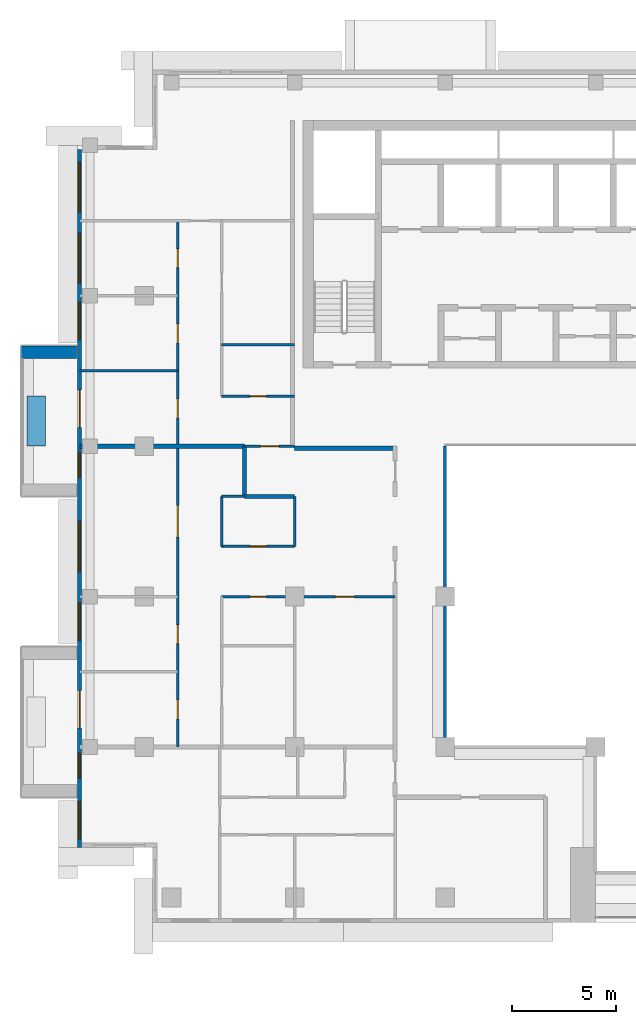
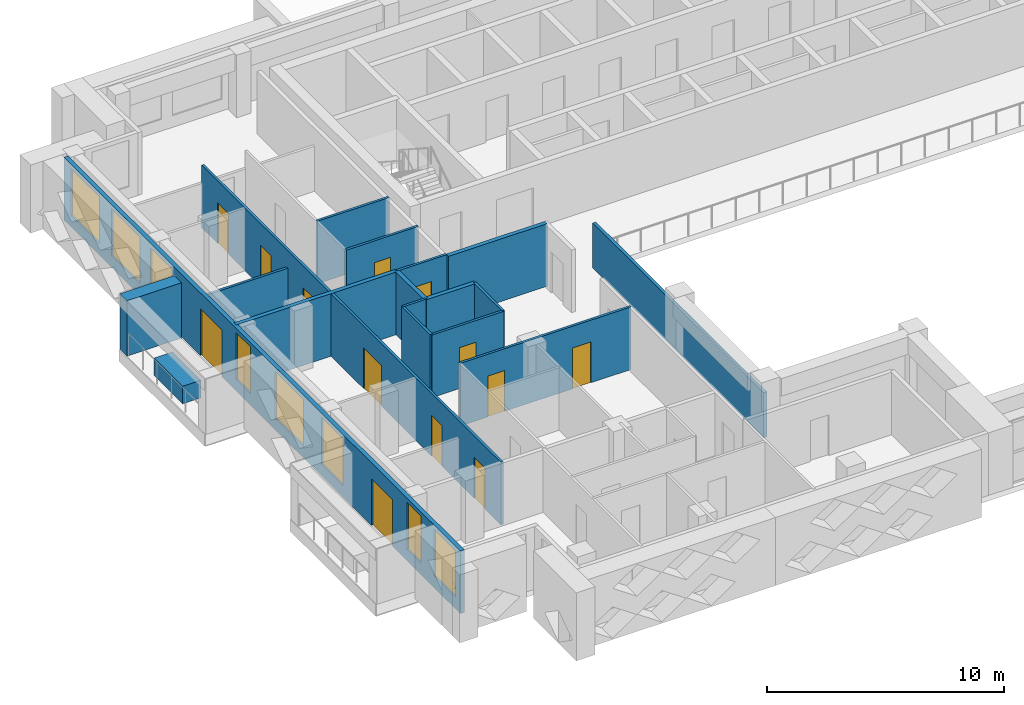
# One storey, part 7 of 19: 18 walls, 13 doors, 8 windows, 21 openings.
"""IFC4 building model written with IfcOpenShell, lengths in metres."""

import ifcopenshell
import ifcopenshell.guid

model = None  # the IFC model being written
_history = None  # IfcOwnerHistory: only IFC2X3 demands one
_inside = {}  # id of a spatial element -> (the spatial element, [elements in it])
_under = {}  # id of a project, library or spatial element -> (it, [spatial elements below it])
_declared = {}  # id of a project -> (the project, [libraries it declares])
_typed = {}  # id of a type object -> (the type object, [elements of that type])
_made_of = {}  # id of a material, layer set ... -> (it, [elements and type objects made of it])


def new_model(schema):
    """Start an empty IFC model of exactly this schema.

    Asked for "IFC4X3", IfcOpenShell would pick the latest addendum, in which some entities
    have other attributes; the version numbers below select the first issue.
    IFC2X3 requires an IfcOwnerHistory on every rooted entity: one is made here for all.
    """
    global model, _history
    if schema == "IFC4X3":
        model = ifcopenshell.file(schema_version=(4, 3, 0, 0))
    else:
        model = ifcopenshell.file(schema=schema)
    _inside.clear()
    _under.clear()
    _declared.clear()
    _typed.clear()
    _made_of.clear()
    _history = None
    if model.schema == "IFC2X3":
        org = make("IfcOrganization", Name="unknown")
        user = make(
            "IfcPersonAndOrganization",
            ThePerson=make("IfcPerson", FamilyName="unknown"),
            TheOrganization=org,
        )
        app = make(
            "IfcApplication",
            ApplicationDeveloper=org,
            Version="unknown",
            ApplicationFullName="unknown",
            ApplicationIdentifier="unknown",
        )
        _history = make(
            "IfcOwnerHistory",
            OwningUser=user,
            OwningApplication=app,
            ChangeAction="ADDED",
            CreationDate=0,
        )
    return model


def make(cls, **values):
    """One entity of the class cls with the attributes given. An attribute that is None is left unset."""
    return model.create_entity(
        cls, **{name: value for name, value in values.items() if value is not None}
    )


def rooted(cls, **values):
    """An entity with a GlobalId (a new one), such as an element, a storey or a relation."""
    return make(cls, GlobalId=ifcopenshell.guid.new(), OwnerHistory=_history, **values)


def si_unit(unit_type, name, prefix=None):
    """IfcSIUnit, for example si_unit("LENGTHUNIT", "METRE", prefix="MILLI")."""
    return make("IfcSIUnit", UnitType=unit_type, Prefix=prefix, Name=name)


def assignment(units):
    """IfcUnitAssignment: the units of a project."""
    return None if units is None else make("IfcUnitAssignment", Units=units)


def point(xyz):
    """IfcCartesianPoint."""
    return None if xyz is None else make("IfcCartesianPoint", Coordinates=xyz)


def direction(xyz):
    """IfcDirection."""
    return None if xyz is None else make("IfcDirection", DirectionRatios=xyz)


def frame(location, z_axis=None, x_axis=None):
    """IfcAxis2Placement3D, a coordinate frame: its origin and axes. An axis left out is left unset."""
    return make(
        "IfcAxis2Placement3D",
        Location=point(location),
        Axis=direction(z_axis),
        RefDirection=direction(x_axis),
    )


def frame_2d(location, x_axis=None):
    """IfcAxis2Placement2D, a coordinate frame in the plane: its origin and x axis."""
    return make(
        "IfcAxis2Placement2D", Location=point(location), RefDirection=direction(x_axis)
    )


def origin():
    """The frame at (0, 0, 0) with its axes left unset."""
    return frame((0.0, 0.0, 0.0))


def place(relative_to, where):
    """IfcLocalPlacement: puts the frame where relative to a parent placement (None: the world)."""
    return make(
        "IfcLocalPlacement", PlacementRelTo=relative_to, RelativePlacement=where
    )


def context(
    kind, dimensions, precision=None, world=None, true_north=None, identifier=None
):
    """IfcGeometricRepresentationContext, for example the 3D "Model" context."""
    return make(
        "IfcGeometricRepresentationContext",
        ContextIdentifier=identifier,
        ContextType=kind,
        CoordinateSpaceDimension=dimensions,
        Precision=precision,
        WorldCoordinateSystem=world,
        TrueNorth=true_north,
    )


def subcontext(parent, identifier, kind, view, scale=None):
    """IfcGeometricRepresentationSubContext, for example "Body" below "Model"."""
    return make(
        "IfcGeometricRepresentationSubContext",
        ContextIdentifier=identifier,
        ContextType=kind,
        ParentContext=parent,
        TargetScale=scale,
        TargetView=view,
    )


def project(units=None, contexts=None):
    """IfcProject with its units and contexts."""
    return rooted(
        "IfcProject",
        Name="project",
        RepresentationContexts=contexts,
        UnitsInContext=assignment(units),
    )


def spatial(cls, under=None, at=None, **own):
    """A site, building, storey or space (cls), placed at a placement, below another one or the project."""
    s = rooted(cls, ObjectPlacement=at, **own)
    if under is not None:
        _under.setdefault(under.id(), (under, []))[1].append(s)
    return s


def profile(cls, at=None, kind="AREA", **sizes):
    """A parametric profile (cls). Its sizes go by their IFC names, for example OverallWidth=200.0."""
    return make(cls, ProfileType=kind, Position=at, **sizes)


def rectangle(**sizes):
    """IfcRectangleProfileDef."""
    return profile("IfcRectangleProfileDef", **sizes)


def extrude(swept, where, along, depth):
    """IfcExtrudedAreaSolid: the profile swept, set in the frame where, extruded along a direction by depth."""
    return make(
        "IfcExtrudedAreaSolid",
        SweptArea=swept,
        Position=where,
        ExtrudedDirection=direction(along),
        Depth=depth,
    )


def shape(context_of_items, identifier, shape_type, items):
    """IfcShapeRepresentation: the items that make up one representation, for example the "Body"."""
    return make(
        "IfcShapeRepresentation",
        ContextOfItems=context_of_items,
        RepresentationIdentifier=identifier,
        RepresentationType=shape_type,
        Items=items,
    )


def material(Name=None, Category=None):
    """IfcMaterial."""
    return make("IfcMaterial", Name=Name, Category=Category)


def layer(
    of_material, thickness, ventilated=None, Name=None, Category=None, Priority=None
):
    """IfcMaterialLayer: one layer of a wall or slab, of a material (None: an air gap)."""
    return make(
        "IfcMaterialLayer",
        Material=of_material,
        LayerThickness=thickness,
        IsVentilated=ventilated,
        Name=Name,
        Category=Category,
        Priority=Priority,
    )


def layer_set(layers, Name=None):
    """IfcMaterialLayerSet."""
    return make("IfcMaterialLayerSet", MaterialLayers=layers, LayerSetName=Name)


def made_of(thing, what):
    """Note that an element or type object is made of a material, layer set ...; save() writes the relation."""
    if what is not None:
        _made_of.setdefault(what.id(), (what, []))[1].append(thing)
    return thing


def type_object(cls, material=None, **own):
    """A type object (cls), such as IfcWallType, which elements share."""
    return made_of(rooted(cls, **own), material)


def element(
    cls,
    number,
    at=None,
    inside=None,
    cuts=None,
    type_object=None,
    material=None,
    context=None,
    identifier="Body",
    shape_type=None,
    held_by="IfcProductDefinitionShape",
    body=None,
    shapes=None,
    **own,
):
    """One element of the class cls, such as IfcWall. Its Tag is "e" and its number.

    at: its placement. inside: the storey or other place that contains it. cuts: it is an
    opening in that element (IfcRelVoidsElement). A single representation is given by context,
    identifier, shape_type and body (its items); several are given by shapes. held_by: the class
    of the entity that holds the representations. save() writes the other relations.
    """
    e = rooted(cls, Tag="e%d" % number, ObjectPlacement=at, **own)
    if body is not None:
        shapes = [shape(context, identifier, shape_type, body)]
    if shapes is not None:
        e.Representation = make(held_by, Representations=shapes)
    if inside is not None:
        _inside.setdefault(inside.id(), (inside, []))[1].append(e)
    if cuts is not None:
        rooted(
            "IfcRelVoidsElement", RelatingBuildingElement=cuts, RelatedOpeningElement=e
        )
    if type_object is not None:
        _typed.setdefault(type_object.id(), (type_object, []))[1].append(e)
    return made_of(e, material)


def fill(opening, filler):
    """IfcRelFillsElement: the door or window that sits in an opening."""
    return rooted(
        "IfcRelFillsElement",
        RelatingOpeningElement=opening,
        RelatedBuildingElement=filler,
    )


def aggregate(whole, parts):
    """IfcRelAggregates: a whole, such as a stair, and the parts it consists of."""
    return rooted("IfcRelAggregates", RelatingObject=whole, RelatedObjects=parts)


def save(model, path):
    """Write the relations noted so far, then the file.

    IfcRelAggregates (storeys below a building ...), IfcRelContainedInSpatialStructure (elements
    in a storey), IfcRelDefinesByType, IfcRelAssociatesMaterial and IfcRelDeclares: one each for
    every whole, place, type object, material and project.
    """
    for whole, parts in _under.values():
        aggregate(whole, parts)
    for where, things in _inside.values():
        rooted(
            "IfcRelContainedInSpatialStructure",
            RelatedElements=things,
            RelatingStructure=where,
        )
    for kind, things in _typed.values():
        rooted("IfcRelDefinesByType", RelatedObjects=things, RelatingType=kind)
    for what, things in _made_of.values():
        rooted("IfcRelAssociatesMaterial", RelatedObjects=things, RelatingMaterial=what)
    for by, libraries in _declared.values():
        rooted("IfcRelDeclares", RelatingContext=by, RelatedDefinitions=libraries)
    model.write(path)


model = new_model("IFC4")

# Units and contexts
model_context = context("Model", 3, precision=1e-05, world=origin(), true_north=direction((0.0, 1.0)))
body_context = subcontext(model_context, "Body", "Model", "MODEL_VIEW")
ifc_project = project(units=[si_unit("LENGTHUNIT", "METRE"), si_unit("AREAUNIT", "SQUARE_METRE"), si_unit("VOLUMEUNIT", "CUBIC_METRE"), si_unit("PLANEANGLEUNIT", "RADIAN"), si_unit("MASSUNIT", "GRAM", prefix="KILO")], contexts=[model_context])

# Site, building, storey
site_placement = place(None, origin())
site = spatial("IfcSite", under=ifc_project, at=site_placement, CompositionType="ELEMENT")
building_placement = place(site_placement, origin())
building = spatial("IfcBuilding", under=site, at=building_placement, Name="Saffron Iwan Residences", CompositionType="ELEMENT")
storey_placement = place(building_placement, frame((0.0, 0.0, 229.0)))
storey = spatial("IfcBuildingStorey", under=building, at=storey_placement, Name="L61", CompositionType="ELEMENT", Elevation=229.0)

# Walls
ifc_material_1 = material(Name="Fire-rated glazing", Category="glass")
ifc_layer_1 = layer(ifc_material_1, 0.14990234375)
ifc_layer_set_1 = layer_set([ifc_layer_1], Name="Fire-rated glazing")
wall_type_1 = type_object("IfcWallType", Name="Atrium glazed screen 150", PredefinedType="SOLIDWALL", material=ifc_layer_set_1)
wall_1_placement = place(storey_placement, frame((36.0, 48.0, 0.0), z_axis=(0.0, 0.0, 1.0), x_axis=(0.0, 1.0, 0.0)))
element("IfcWall", 1, at=wall_1_placement, inside=storey, type_object=wall_type_1, Name="W-L61-SCREEN-v36-48", PredefinedType="SOLIDWALL", context=body_context, shape_type="SweptSolid", body=[
    extrude(rectangle(XDim=14.39990234375, YDim=0.14990234375, at=frame_2d((7.199951171875, 0.0))), origin(), (0.0, 0.0, 1.0), 2.320068359375),
])
ifc_material_2 = material(Name="Concrete C50/60 white painted", Category="concrete")
ifc_layer_2 = layer(ifc_material_2, 0.60009765625)
ifc_layer_set_2 = layer_set([ifc_layer_2], Name="Concrete C50/60 white painted")
wall_type_2 = type_object("IfcWallType", Name="BALCONY FIN 600", PredefinedType="SOLIDWALL", material=ifc_layer_set_2)
wall_2_placement = place(storey_placement, frame((18.35009765625, 66.89990234375, 0.0), z_axis=(0.0, 0.0, 1.0), x_axis=(-1.0, 0.0, 0.0)))
element("IfcWall", 2, at=wall_2_placement, inside=storey, type_object=wall_type_2, Name="Balcony fin L61 F8-0a", PredefinedType="SOLIDWALL", context=body_context, shape_type="SweptSolid", body=[
    extrude(rectangle(XDim=2.650146484375, YDim=0.60009765625, at=frame_2d((1.3251953125, 0.0))), origin(), (0.0, 0.0, 1.0), 2.85009765625),
])
ifc_material_3 = material(Name="Concrete C35/45 white painted", Category="concrete")
ifc_layer_3 = layer(ifc_material_3, 0.14990234375)
ifc_layer_set_3 = layer_set([ifc_layer_3], Name="Concrete C35/45 white painted")
wall_type_3 = type_object("IfcWallType", Name="BALCONY PLANTER", PredefinedType="SOLIDWALL", material=ifc_layer_set_3)
wall_3_placement = place(storey_placement, frame((16.425048828125, 64.800048828125, 0.0), z_axis=(0.0, 0.0, 1.0), x_axis=(0.0, -1.0, 0.0)))
element("IfcWall", 3, at=wall_3_placement, inside=storey, type_object=wall_type_3, Name="PLANTER L61 F8-0", PredefinedType="SOLIDWALL", context=body_context, shape_type="SweptSolid", body=[
    extrude(rectangle(XDim=2.400146484375, YDim=0.89990234375, at=frame_2d((1.2001953125, 0.0))), origin(), (0.0, 0.0, 1.0), 0.89990234375),
])

# Wall, openings, doors, windows
ifc_material_4 = material(Name="Concrete C40/50", Category="concrete")
ifc_layer_4 = layer(ifc_material_4, 0.199951171875)
ifc_layer_set_4 = layer_set([ifc_layer_4], Name="Concrete C40/50")
wall_type_4 = type_object("IfcWallType", Name="EXTERNAL WALL 200", PredefinedType="SOLIDWALL", material=ifc_layer_set_4)
wall_4_placement = place(storey_placement, frame((18.5, 76.60009765625, 0.0), z_axis=(0.0, 0.0, 1.0), x_axis=(0.0, -1.0, 0.0)))
wall_4 = element("IfcWall", 4, at=wall_4_placement, inside=storey, type_object=wall_type_4, Name="External wall L61 F8.0", PredefinedType="SOLIDWALL", context=body_context, shape_type="SweptSolid", body=[
    extrude(rectangle(XDim=33.400146484375, YDim=0.199951171875, at=frame_2d((16.7001953125, 0.0))), origin(), (0.0, 0.0, 1.0), 3.219970703125),
])
opening_1_placement = place(wall_4_placement, frame((11.5, 0.0, 0.0)))
opening_1 = element("IfcOpeningElement", 5, at=opening_1_placement, cuts=wall_4, Name="Opening BD1", PredefinedType="OPENING", context=body_context, shape_type="SweptSolid", body=[
    extrude(rectangle(XDim=1.800048828125, YDim=2.39990234375, at=frame_2d((0.89990234375, 1.199951171875))), frame((0.0, 0.10986328125, 0.0), z_axis=(0.0, -1.0, 0.0), x_axis=(1.0, 0.0, 0.0)), (0.0, 0.0, 1.0), 0.219970703125),
])
opening_2_placement = place(wall_4_placement, frame((25.89990234375, 0.0, 0.0)))
opening_2 = element("IfcOpeningElement", 6, at=opening_2_placement, cuts=wall_4, Name="Opening BD1", PredefinedType="OPENING", context=body_context, shape_type="SweptSolid", body=[
    extrude(rectangle(XDim=1.800048828125, YDim=2.39990234375, at=frame_2d((0.89990234375, 1.199951171875))), frame((0.0, 0.10986328125, 0.0), z_axis=(0.0, -1.0, 0.0), x_axis=(1.0, 0.0, 0.0)), (0.0, 0.0, 1.0), 0.219970703125),
])
opening_3_placement = place(wall_4_placement, frame((28.89990234375, 0.0, 0.60009765625)))
opening_3 = element("IfcOpeningElement", 7, at=opening_3_placement, cuts=wall_4, Name="Opening W3", PredefinedType="OPENING", context=body_context, shape_type="SweptSolid", body=[
    extrude(rectangle(XDim=1.199951171875, YDim=2.39990234375, at=frame_2d((0.60009765625, 1.199951171875))), frame((0.0, 0.10986328125, 0.0), z_axis=(0.0, -1.0, 0.0), x_axis=(1.0, 0.0, 0.0)), (0.0, 0.0, 1.0), 0.219970703125),
])
opening_4_placement = place(wall_4_placement, frame((31.199951171875, 0.0, 0.60009765625)))
opening_4 = element("IfcOpeningElement", 8, at=opening_4_placement, cuts=wall_4, Name="Opening W8", PredefinedType="OPENING", context=body_context, shape_type="SweptSolid", body=[
    extrude(rectangle(XDim=1.800048828125, YDim=2.39990234375, at=frame_2d((0.89990234375, 1.199951171875))), frame((0.0, 0.10986328125, 0.0), z_axis=(0.0, -1.0, 0.0), x_axis=(1.0, 0.0, 0.0)), (0.0, 0.0, 1.0), 0.219970703125),
])
opening_5_placement = place(wall_4_placement, frame((21.699951171875, 0.0, 0.60009765625)))
opening_5 = element("IfcOpeningElement", 9, at=opening_5_placement, cuts=wall_4, Name="Opening W8", PredefinedType="OPENING", context=body_context, shape_type="SweptSolid", body=[
    extrude(rectangle(XDim=1.800048828125, YDim=2.39990234375, at=frame_2d((0.89990234375, 1.199951171875))), frame((0.0, 0.10986328125, 0.0), z_axis=(0.0, -1.0, 0.0), x_axis=(1.0, 0.0, 0.0)), (0.0, 0.0, 1.0), 0.219970703125),
])
opening_6_placement = place(wall_4_placement, frame((14.5, 0.0, 0.60009765625)))
opening_6 = element("IfcOpeningElement", 10, at=opening_6_placement, cuts=wall_4, Name="Opening W3", PredefinedType="OPENING", context=body_context, shape_type="SweptSolid", body=[
    extrude(rectangle(XDim=1.199951171875, YDim=2.39990234375, at=frame_2d((0.60009765625, 1.199951171875))), frame((0.0, 0.10986328125, 0.0), z_axis=(0.0, -1.0, 0.0), x_axis=(1.0, 0.0, 0.0)), (0.0, 0.0, 1.0), 0.219970703125),
])
opening_7_placement = place(wall_4_placement, frame((17.800048828125, 0.0, 0.60009765625)))
opening_7 = element("IfcOpeningElement", 11, at=opening_7_placement, cuts=wall_4, Name="Opening W1", PredefinedType="OPENING", context=body_context, shape_type="SweptSolid", body=[
    extrude(rectangle(XDim=2.39990234375, YDim=2.39990234375, at=frame_2d((1.199951171875, 1.199951171875))), frame((0.0, 0.10986328125, 0.0), z_axis=(0.0, -1.0, 0.0), x_axis=(1.0, 0.0, 0.0)), (0.0, 0.0, 1.0), 0.219970703125),
])
opening_8_placement = place(wall_4_placement, frame((7.300048828125, 0.0, 0.60009765625)))
opening_8 = element("IfcOpeningElement", 12, at=opening_8_placement, cuts=wall_4, Name="Opening W8", PredefinedType="OPENING", context=body_context, shape_type="SweptSolid", body=[
    extrude(rectangle(XDim=1.800048828125, YDim=2.39990234375, at=frame_2d((0.89990234375, 1.199951171875))), frame((0.0, 0.10986328125, 0.0), z_axis=(0.0, -1.0, 0.0), x_axis=(1.0, 0.0, 0.0)), (0.0, 0.0, 1.0), 0.219970703125),
])
opening_9_placement = place(wall_4_placement, frame((4.0, 0.0, 0.60009765625)))
opening_9 = element("IfcOpeningElement", 13, at=opening_9_placement, cuts=wall_4, Name="Opening W1", PredefinedType="OPENING", context=body_context, shape_type="SweptSolid", body=[
    extrude(rectangle(XDim=2.39990234375, YDim=2.39990234375, at=frame_2d((1.199951171875, 1.199951171875))), frame((0.0, 0.10986328125, 0.0), z_axis=(0.0, -1.0, 0.0), x_axis=(1.0, 0.0, 0.0)), (0.0, 0.0, 1.0), 0.219970703125),
])
opening_10_placement = place(wall_4_placement, frame((0.60009765625, 0.0, 0.60009765625)))
opening_10 = element("IfcOpeningElement", 14, at=opening_10_placement, cuts=wall_4, Name="Opening W1", PredefinedType="OPENING", context=body_context, shape_type="SweptSolid", body=[
    extrude(rectangle(XDim=2.39990234375, YDim=2.39990234375, at=frame_2d((1.199951171875, 1.199951171875))), frame((0.0, 0.10986328125, 0.0), z_axis=(0.0, -1.0, 0.0), x_axis=(1.0, 0.0, 0.0)), (0.0, 0.0, 1.0), 0.219970703125),
])
ifc_material_5 = material(Name="Clear glass, laminated double glazed", Category="glass")
door_type_1 = type_object("IfcDoorType", Name="BALCONY DOOR 1800 x 2400", OperationType="DOUBLE_DOOR_SLIDING", PredefinedType="DOOR", material=ifc_material_5)
door_1_placement = place(opening_1_placement, origin())
door_1 = element("IfcDoor", 15, at=door_1_placement, inside=storey, type_object=door_type_1, Name="Balcony door L61 F8.0", OperationType="DOUBLE_DOOR_SLIDING", OverallHeight=2.39990234375, OverallWidth=1.800048828125, PredefinedType="DOOR", context=body_context, shape_type="SweptSolid", body=[
    extrude(rectangle(XDim=1.800048828125, YDim=2.39990234375, at=frame_2d((0.89990234375, 1.199951171875))), frame((0.0, 0.02490234375, 0.0), z_axis=(0.0, -1.0, 0.0), x_axis=(1.0, 0.0, 0.0)), (0.0, 0.0, 1.0), 0.050048828125),
])
fill(opening_1, door_1)
door_2_placement = place(opening_2_placement, origin())
door_2 = element("IfcDoor", 16, at=door_2_placement, inside=storey, type_object=door_type_1, Name="Balcony door L61 F8.1", OperationType="DOUBLE_DOOR_SLIDING", OverallHeight=2.39990234375, OverallWidth=1.800048828125, PredefinedType="DOOR", context=body_context, shape_type="SweptSolid", body=[
    extrude(rectangle(XDim=1.800048828125, YDim=2.39990234375, at=frame_2d((0.89990234375, 1.199951171875))), frame((0.0, 0.02490234375, 0.0), z_axis=(0.0, -1.0, 0.0), x_axis=(1.0, 0.0, 0.0)), (0.0, 0.0, 1.0), 0.050048828125),
])
fill(opening_2, door_2)
window_type_1 = type_object("IfcWindowType", Name="WINDOW 1200 x 2400", PartitioningType="SINGLE_PANEL", PredefinedType="WINDOW", material=ifc_material_5)
window_1_placement = place(opening_3_placement, origin())
window_1 = element("IfcWindow", 17, at=window_1_placement, inside=storey, type_object=window_type_1, Name="Window L61 F8.2", OverallHeight=2.39990234375, OverallWidth=1.199951171875, PartitioningType="SINGLE_PANEL", PredefinedType="WINDOW", context=body_context, shape_type="SweptSolid", body=[
    extrude(rectangle(XDim=1.199951171875, YDim=2.39990234375, at=frame_2d((0.60009765625, 1.199951171875))), frame((0.0, 0.030029296875, 0.0), z_axis=(0.0, -1.0, 0.0), x_axis=(1.0, 0.0, 0.0)), (0.0, 0.0, 1.0), 0.06005859375),
])
fill(opening_3, window_1)
window_2_placement = place(opening_6_placement, origin())
window_2 = element("IfcWindow", 18, at=window_2_placement, inside=storey, type_object=window_type_1, Name="Window L61 F8.5", OverallHeight=2.39990234375, OverallWidth=1.199951171875, PartitioningType="SINGLE_PANEL", PredefinedType="WINDOW", context=body_context, shape_type="SweptSolid", body=[
    extrude(rectangle(XDim=1.199951171875, YDim=2.39990234375, at=frame_2d((0.60009765625, 1.199951171875))), frame((0.0, 0.030029296875, 0.0), z_axis=(0.0, -1.0, 0.0), x_axis=(1.0, 0.0, 0.0)), (0.0, 0.0, 1.0), 0.06005859375),
])
fill(opening_6, window_2)
window_type_2 = type_object("IfcWindowType", Name="WINDOW 1800 x 2400", PartitioningType="DOUBLE_PANEL_VERTICAL", PredefinedType="WINDOW", material=ifc_material_5)
window_3_placement = place(opening_4_placement, origin())
window_3 = element("IfcWindow", 19, at=window_3_placement, inside=storey, type_object=window_type_2, Name="Window L61 F8.3", OverallHeight=2.39990234375, OverallWidth=1.800048828125, PartitioningType="DOUBLE_PANEL_VERTICAL", PredefinedType="WINDOW", context=body_context, shape_type="SweptSolid", body=[
    extrude(rectangle(XDim=1.800048828125, YDim=2.39990234375, at=frame_2d((0.89990234375, 1.199951171875))), frame((0.0, 0.030029296875, 0.0), z_axis=(0.0, -1.0, 0.0), x_axis=(1.0, 0.0, 0.0)), (0.0, 0.0, 1.0), 0.06005859375),
])
fill(opening_4, window_3)
window_4_placement = place(opening_5_placement, origin())
window_4 = element("IfcWindow", 20, at=window_4_placement, inside=storey, type_object=window_type_2, Name="Window L61 F8.4", OverallHeight=2.39990234375, OverallWidth=1.800048828125, PartitioningType="DOUBLE_PANEL_VERTICAL", PredefinedType="WINDOW", context=body_context, shape_type="SweptSolid", body=[
    extrude(rectangle(XDim=1.800048828125, YDim=2.39990234375, at=frame_2d((0.89990234375, 1.199951171875))), frame((0.0, 0.030029296875, 0.0), z_axis=(0.0, -1.0, 0.0), x_axis=(1.0, 0.0, 0.0)), (0.0, 0.0, 1.0), 0.06005859375),
])
fill(opening_5, window_4)
window_5_placement = place(opening_8_placement, origin())
window_5 = element("IfcWindow", 21, at=window_5_placement, inside=storey, type_object=window_type_2, Name="Window L61 F8.7", OverallHeight=2.39990234375, OverallWidth=1.800048828125, PartitioningType="DOUBLE_PANEL_VERTICAL", PredefinedType="WINDOW", context=body_context, shape_type="SweptSolid", body=[
    extrude(rectangle(XDim=1.800048828125, YDim=2.39990234375, at=frame_2d((0.89990234375, 1.199951171875))), frame((0.0, 0.030029296875, 0.0), z_axis=(0.0, -1.0, 0.0), x_axis=(1.0, 0.0, 0.0)), (0.0, 0.0, 1.0), 0.06005859375),
])
fill(opening_8, window_5)
window_type_3 = type_object("IfcWindowType", Name="WINDOW 2400 x 2400", PartitioningType="DOUBLE_PANEL_VERTICAL", PredefinedType="WINDOW", material=ifc_material_5)
window_6_placement = place(opening_7_placement, origin())
window_6 = element("IfcWindow", 22, at=window_6_placement, inside=storey, type_object=window_type_3, Name="Window L61 F8.6", OverallHeight=2.39990234375, OverallWidth=2.39990234375, PartitioningType="DOUBLE_PANEL_VERTICAL", PredefinedType="WINDOW", context=body_context, shape_type="SweptSolid", body=[
    extrude(rectangle(XDim=2.39990234375, YDim=2.39990234375, at=frame_2d((1.199951171875, 1.199951171875))), frame((0.0, 0.030029296875, 0.0), z_axis=(0.0, -1.0, 0.0), x_axis=(1.0, 0.0, 0.0)), (0.0, 0.0, 1.0), 0.06005859375),
])
fill(opening_7, window_6)
window_7_placement = place(opening_9_placement, origin())
window_7 = element("IfcWindow", 23, at=window_7_placement, inside=storey, type_object=window_type_3, Name="Window L61 F8.8", OverallHeight=2.39990234375, OverallWidth=2.39990234375, PartitioningType="DOUBLE_PANEL_VERTICAL", PredefinedType="WINDOW", context=body_context, shape_type="SweptSolid", body=[
    extrude(rectangle(XDim=2.39990234375, YDim=2.39990234375, at=frame_2d((1.199951171875, 1.199951171875))), frame((0.0, 0.030029296875, 0.0), z_axis=(0.0, -1.0, 0.0), x_axis=(1.0, 0.0, 0.0)), (0.0, 0.0, 1.0), 0.06005859375),
])
fill(opening_9, window_7)
window_8_placement = place(opening_10_placement, origin())
window_8 = element("IfcWindow", 24, at=window_8_placement, inside=storey, type_object=window_type_3, Name="Window L61 F8.9", OverallHeight=2.39990234375, OverallWidth=2.39990234375, PartitioningType="DOUBLE_PANEL_VERTICAL", PredefinedType="WINDOW", context=body_context, shape_type="SweptSolid", body=[
    extrude(rectangle(XDim=2.39990234375, YDim=2.39990234375, at=frame_2d((1.199951171875, 1.199951171875))), frame((0.0, 0.030029296875, 0.0), z_axis=(0.0, -1.0, 0.0), x_axis=(1.0, 0.0, 0.0)), (0.0, 0.0, 1.0), 0.06005859375),
])
fill(opening_10, window_8)

# Walls
ifc_material_6 = material(Name="Fire-rated gypsum board wall")
ifc_layer_5 = layer(ifc_material_6, 0.199951171875)
ifc_layer_set_5 = layer_set([ifc_layer_5], Name="Fire-rated gypsum board wall")
wall_type_5 = type_object("IfcWallType", Name="Flat demising wall 200", PredefinedType="SOLIDWALL", material=ifc_layer_set_5)
wall_5_placement = place(storey_placement, frame((26.39990234375, 60.0, 0.0), z_axis=(0.0, 0.0, 1.0), x_axis=(1.0, 0.0, 0.0)))
element("IfcWall", 25, at=wall_5_placement, inside=storey, type_object=wall_type_5, Name="W-L61-DEMISE-h60-26.4", PredefinedType="SOLIDWALL", context=body_context, shape_type="SweptSolid", body=[
    extrude(rectangle(XDim=2.400146484375, YDim=0.199951171875, at=frame_2d((1.2001953125, 0.0))), origin(), (0.0, 0.0, 1.0), 3.219970703125),
])
wall_6_placement = place(storey_placement, frame((18.52490234375, 62.39990234375, 0.0), z_axis=(0.0, 0.0, 1.0), x_axis=(1.0, 0.0, 0.0)))
element("IfcWall", 26, at=wall_6_placement, inside=storey, type_object=wall_type_5, Name="W-L61-DEMISE-h62.4-18.525", PredefinedType="SOLIDWALL", context=body_context, shape_type="SweptSolid", body=[
    extrude(rectangle(XDim=7.875, YDim=0.199951171875, at=frame_2d((3.9375, 0.0))), origin(), (0.0, 0.0, 1.0), 3.219970703125),
])
wall_7_placement = place(storey_placement, frame((26.39990234375, 60.0, 0.0), z_axis=(0.0, 0.0, 1.0), x_axis=(0.0, 1.0, 0.0)))
element("IfcWall", 27, at=wall_7_placement, inside=storey, type_object=wall_type_5, Name="W-L61-DEMISE-v26.4-60", PredefinedType="SOLIDWALL", context=body_context, shape_type="SweptSolid", body=[
    extrude(rectangle(XDim=2.39990234375, YDim=0.199951171875, at=frame_2d((1.199951171875, 0.0))), origin(), (0.0, 0.0, 1.0), 3.219970703125),
])

# Wall, openings, doors
ifc_material_7 = material(Name="Gypsum board partition")
ifc_layer_6 = layer(ifc_material_7, 0.1201171875)
ifc_layer_set_6 = layer_set([ifc_layer_6], Name="Gypsum board partition")
wall_type_6 = type_object("IfcWallType", Name="Flat partition 120", PredefinedType="PARTITIONING", material=ifc_layer_set_6)
wall_8_placement = place(storey_placement, frame((25.300048828125, 55.199951171875, 0.0), z_axis=(0.0, 0.0, 1.0), x_axis=(1.0, 0.0, 0.0)))
wall_8 = element("IfcWall", 28, at=wall_8_placement, inside=storey, type_object=wall_type_6, Name="W-L61-PART-h55.2-25.3", PredefinedType="PARTITIONING", context=body_context, shape_type="SweptSolid", body=[
    extrude(rectangle(XDim=8.300048828125, YDim=0.1201171875, at=frame_2d((4.14990234375, 0.0))), origin(), (0.0, 0.0, 1.0), 3.219970703125),
])
opening_11_placement = place(wall_8_placement, frame((1.35009765625, 0.0, 0.0)))
opening_11 = element("IfcOpeningElement", 29, at=opening_11_placement, cuts=wall_8, Name="Opening FD3", PredefinedType="OPENING", context=body_context, shape_type="SweptSolid", body=[
    extrude(rectangle(XDim=0.800048828125, YDim=2.10009765625, at=frame_2d((0.39990234375, 1.050048828125))), frame((0.0, 0.070068359375, 0.0), z_axis=(0.0, -1.0, 0.0), x_axis=(1.0, 0.0, 0.0)), (0.0, 0.0, 1.0), 0.14013671875),
])
opening_12_placement = place(wall_8_placement, frame((5.449951171875, 0.0, 0.0)))
opening_12 = element("IfcOpeningElement", 30, at=opening_12_placement, cuts=wall_8, Name="Opening FD2", PredefinedType="OPENING", context=body_context, shape_type="SweptSolid", body=[
    extrude(rectangle(XDim=0.89990234375, YDim=2.10009765625, at=frame_2d((0.449951171875, 1.050048828125))), frame((0.0, 0.070068359375, 0.0), z_axis=(0.0, -1.0, 0.0), x_axis=(1.0, 0.0, 0.0)), (0.0, 0.0, 1.0), 0.14013671875),
])
ifc_material_8 = material(Name="Timber door", Category="wood")
door_type_2 = type_object("IfcDoorType", Name="Bathroom door 800", OperationType="NOTDEFINED", PredefinedType="DOOR", material=ifc_material_8)
door_3_placement = place(opening_11_placement, origin())
door_3 = element("IfcDoor", 31, at=door_3_placement, inside=storey, type_object=door_type_2, Name="Door L61-013", OperationType="SINGLE_SWING_LEFT", OverallHeight=2.10009765625, OverallWidth=0.800048828125, PredefinedType="DOOR", context=body_context, shape_type="SweptSolid", body=[
    extrude(rectangle(XDim=0.800048828125, YDim=2.10009765625, at=frame_2d((0.39990234375, 1.050048828125))), frame((0.0, 0.02490234375, 0.0), z_axis=(0.0, -1.0, 0.0), x_axis=(1.0, 0.0, 0.0)), (0.0, 0.0, 1.0), 0.050048828125),
])
fill(opening_11, door_3)
door_type_3 = type_object("IfcDoorType", Name="Flat door 900", OperationType="NOTDEFINED", PredefinedType="DOOR", material=ifc_material_8)
door_4_placement = place(opening_12_placement, origin())
door_4 = element("IfcDoor", 32, at=door_4_placement, inside=storey, type_object=door_type_3, Name="Door L61-015", OperationType="SINGLE_SWING_RIGHT", OverallHeight=2.10009765625, OverallWidth=0.89990234375, PredefinedType="DOOR", context=body_context, shape_type="SweptSolid", body=[
    extrude(rectangle(XDim=0.89990234375, YDim=2.10009765625, at=frame_2d((0.449951171875, 1.050048828125))), frame((0.0, 0.02490234375, 0.0), z_axis=(0.0, -1.0, 0.0), x_axis=(1.0, 0.0, 0.0)), (0.0, 0.0, 1.0), 0.050048828125),
])
fill(opening_12, door_4)

# Wall, opening, door
wall_9_placement = place(storey_placement, frame((25.300048828125, 57.60009765625, 0.0), z_axis=(0.0, 0.0, 1.0), x_axis=(1.0, 0.0, 0.0)))
wall_9 = element("IfcWall", 33, at=wall_9_placement, inside=storey, type_object=wall_type_6, Name="W-L61-PART-h57.6-25.3", PredefinedType="PARTITIONING", context=body_context, shape_type="SweptSolid", body=[
    extrude(rectangle(XDim=3.5, YDim=0.1201171875, at=frame_2d((1.75, 0.0))), origin(), (0.0, 0.0, 1.0), 3.219970703125),
])
opening_13_placement = place(wall_9_placement, frame((1.35009765625, 0.0, 0.0)))
opening_13 = element("IfcOpeningElement", 34, at=opening_13_placement, cuts=wall_9, Name="Opening FD3", PredefinedType="OPENING", context=body_context, shape_type="SweptSolid", body=[
    extrude(rectangle(XDim=0.800048828125, YDim=2.10009765625, at=frame_2d((0.39990234375, 1.050048828125))), frame((0.0, 0.070068359375, 0.0), z_axis=(0.0, -1.0, 0.0), x_axis=(1.0, 0.0, 0.0)), (0.0, 0.0, 1.0), 0.14013671875),
])
door_5_placement = place(opening_13_placement, origin())
door_5 = element("IfcDoor", 35, at=door_5_placement, inside=storey, type_object=door_type_2, Name="Door L61-014", OperationType="SINGLE_SWING_LEFT", OverallHeight=2.10009765625, OverallWidth=0.800048828125, PredefinedType="DOOR", context=body_context, shape_type="SweptSolid", body=[
    extrude(rectangle(XDim=0.800048828125, YDim=2.10009765625, at=frame_2d((0.39990234375, 1.050048828125))), frame((0.0, 0.02490234375, 0.0), z_axis=(0.0, -1.0, 0.0), x_axis=(1.0, 0.0, 0.0)), (0.0, 0.0, 1.0), 0.050048828125),
])
fill(opening_13, door_5)

# Wall
wall_10_placement = place(storey_placement, frame((25.300048828125, 60.0, 0.0), z_axis=(0.0, 0.0, 1.0), x_axis=(1.0, 0.0, 0.0)))
element("IfcWall", 36, at=wall_10_placement, inside=storey, type_object=wall_type_6, Name="W-L61-PART-h60-25.3", PredefinedType="PARTITIONING", context=body_context, shape_type="SweptSolid", body=[
    extrude(rectangle(XDim=1.099853515625, YDim=0.1201171875, at=frame_2d((0.5498046875, 0.0))), origin(), (0.0, 0.0, 1.0), 3.219970703125),
])

# Wall, opening, door
wall_11_placement = place(storey_placement, frame((26.39990234375, 62.39990234375, 0.0), z_axis=(0.0, 0.0, 1.0), x_axis=(1.0, 0.0, 0.0)))
wall_11 = element("IfcWall", 37, at=wall_11_placement, inside=storey, type_object=wall_type_6, Name="W-L61-PART-h62.4-26.4", PredefinedType="PARTITIONING", context=body_context, shape_type="SweptSolid", body=[
    extrude(rectangle(XDim=2.400146484375, YDim=0.1201171875, at=frame_2d((1.2001953125, 0.0))), origin(), (0.0, 0.0, 1.0), 3.219970703125),
])
opening_14_placement = place(wall_11_placement, frame((0.75, 0.0, 0.0)))
opening_14 = element("IfcOpeningElement", 38, at=opening_14_placement, cuts=wall_11, Name="Opening FD2", PredefinedType="OPENING", context=body_context, shape_type="SweptSolid", body=[
    extrude(rectangle(XDim=0.89990234375, YDim=2.10009765625, at=frame_2d((0.449951171875, 1.050048828125))), frame((0.0, 0.070068359375, 0.0), z_axis=(0.0, -1.0, 0.0), x_axis=(1.0, 0.0, 0.0)), (0.0, 0.0, 1.0), 0.14013671875),
])
door_6_placement = place(opening_14_placement, origin())
door_6 = element("IfcDoor", 39, at=door_6_placement, inside=storey, type_object=door_type_3, Name="Door L61-024", OperationType="SINGLE_SWING_RIGHT", OverallHeight=2.10009765625, OverallWidth=0.89990234375, PredefinedType="DOOR", context=body_context, shape_type="SweptSolid", body=[
    extrude(rectangle(XDim=0.89990234375, YDim=2.10009765625, at=frame_2d((0.449951171875, 1.050048828125))), frame((0.0, 0.02490234375, 0.0), z_axis=(0.0, -1.0, 0.0), x_axis=(1.0, 0.0, 0.0)), (0.0, 0.0, 1.0), 0.050048828125),
])
fill(opening_14, door_6)

wall_12_placement = place(storey_placement, frame((25.300048828125, 64.800048828125, 0.0), z_axis=(0.0, 0.0, 1.0), x_axis=(1.0, 0.0, 0.0)))
wall_12 = element("IfcWall", 40, at=wall_12_placement, inside=storey, type_object=wall_type_6, Name="W-L61-PART-h64.8-25.3", PredefinedType="PARTITIONING", context=body_context, shape_type="SweptSolid", body=[
    extrude(rectangle(XDim=3.5, YDim=0.1201171875, at=frame_2d((1.75, 0.0))), origin(), (0.0, 0.0, 1.0), 3.219970703125),
])
opening_15_placement = place(wall_12_placement, frame((1.35009765625, 0.0, 0.0)))
opening_15 = element("IfcOpeningElement", 41, at=opening_15_placement, cuts=wall_12, Name="Opening FD3", PredefinedType="OPENING", context=body_context, shape_type="SweptSolid", body=[
    extrude(rectangle(XDim=0.800048828125, YDim=2.10009765625, at=frame_2d((0.39990234375, 1.050048828125))), frame((0.0, 0.070068359375, 0.0), z_axis=(0.0, -1.0, 0.0), x_axis=(1.0, 0.0, 0.0)), (0.0, 0.0, 1.0), 0.14013671875),
])
door_7_placement = place(opening_15_placement, origin())
door_7 = element("IfcDoor", 42, at=door_7_placement, inside=storey, type_object=door_type_2, Name="Door L61-030", OperationType="SINGLE_SWING_RIGHT", OverallHeight=2.10009765625, OverallWidth=0.800048828125, PredefinedType="DOOR", context=body_context, shape_type="SweptSolid", body=[
    extrude(rectangle(XDim=0.800048828125, YDim=2.10009765625, at=frame_2d((0.39990234375, 1.050048828125))), frame((0.0, 0.02490234375, 0.0), z_axis=(0.0, -1.0, 0.0), x_axis=(1.0, 0.0, 0.0)), (0.0, 0.0, 1.0), 0.050048828125),
])
fill(opening_15, door_7)

# Walls
wall_13_placement = place(storey_placement, frame((18.52490234375, 66.0, 0.0), z_axis=(0.0, 0.0, 1.0), x_axis=(1.0, 0.0, 0.0)))
element("IfcWall", 43, at=wall_13_placement, inside=storey, type_object=wall_type_6, Name="W-L61-PART-h66-18.525", PredefinedType="PARTITIONING", context=body_context, shape_type="SweptSolid", body=[
    extrude(rectangle(XDim=4.675048828125, YDim=0.1201171875, at=frame_2d((2.33740234375, 0.0))), origin(), (0.0, 0.0, 1.0), 2.320068359375),
])
wall_14_placement = place(storey_placement, frame((25.300048828125, 67.25, 0.0), z_axis=(0.0, 0.0, 1.0), x_axis=(1.0, 0.0, 0.0)))
element("IfcWall", 44, at=wall_14_placement, inside=storey, type_object=wall_type_6, Name="W-L61-PART-h67.25-25.3", PredefinedType="PARTITIONING", context=body_context, shape_type="SweptSolid", body=[
    extrude(rectangle(XDim=3.5, YDim=0.1201171875, at=frame_2d((1.75, 0.0))), origin(), (0.0, 0.0, 1.0), 3.219970703125),
])

# Wall, openings, doors
wall_15_placement = place(storey_placement, frame((23.199951171875, 48.0, 0.0), z_axis=(0.0, 0.0, 1.0), x_axis=(0.0, 1.0, 0.0)))
wall_15 = element("IfcWall", 45, at=wall_15_placement, inside=storey, type_object=wall_type_6, Name="W-L61-PART-v23.2-48", PredefinedType="PARTITIONING", context=body_context, shape_type="SweptSolid", body=[
    extrude(rectangle(XDim=25.199951171875, YDim=0.1201171875, at=frame_2d((12.60009765625, 0.0))), origin(), (0.0, 0.0, 1.0), 3.219970703125),
])
opening_16_placement = place(wall_15_placement, frame((1.35009765625, 0.0, 0.0)))
opening_16 = element("IfcOpeningElement", 46, at=opening_16_placement, cuts=wall_15, Name="Opening FD2", PredefinedType="OPENING", context=body_context, shape_type="SweptSolid", body=[
    extrude(rectangle(XDim=0.89990234375, YDim=2.10009765625, at=frame_2d((0.449951171875, 1.050048828125))), frame((0.0, 0.070068359375, 0.0), z_axis=(0.0, -1.0, 0.0), x_axis=(1.0, 0.0, 0.0)), (0.0, 0.0, 1.0), 0.14013671875),
])
opening_17_placement = place(wall_15_placement, frame((4.949951171875, 0.0, 0.0)))
opening_17 = element("IfcOpeningElement", 47, at=opening_17_placement, cuts=wall_15, Name="Opening FD2", PredefinedType="OPENING", context=body_context, shape_type="SweptSolid", body=[
    extrude(rectangle(XDim=0.89990234375, YDim=2.10009765625, at=frame_2d((0.449951171875, 1.050048828125))), frame((0.0, 0.070068359375, 0.0), z_axis=(0.0, -1.0, 0.0), x_axis=(1.0, 0.0, 0.0)), (0.0, 0.0, 1.0), 0.14013671875),
])
opening_18_placement = place(wall_15_placement, frame((10.050048828125, 0.0, 0.0)))
opening_18 = element("IfcOpeningElement", 48, at=opening_18_placement, cuts=wall_15, Name="Opening FD4", PredefinedType="OPENING", context=body_context, shape_type="SweptSolid", body=[
    extrude(rectangle(XDim=1.5, YDim=2.10009765625, at=frame_2d((0.75, 1.050048828125))), frame((0.0, 0.070068359375, 0.0), z_axis=(0.0, -1.0, 0.0), x_axis=(1.0, 0.0, 0.0)), (0.0, 0.0, 1.0), 0.14013671875),
])
opening_19_placement = place(wall_15_placement, frame((15.75, 0.0, 0.0)))
opening_19 = element("IfcOpeningElement", 49, at=opening_19_placement, cuts=wall_15, Name="Opening FD2", PredefinedType="OPENING", context=body_context, shape_type="SweptSolid", body=[
    extrude(rectangle(XDim=0.89990234375, YDim=2.10009765625, at=frame_2d((0.449951171875, 1.050048828125))), frame((0.0, 0.070068359375, 0.0), z_axis=(0.0, -1.0, 0.0), x_axis=(1.0, 0.0, 0.0)), (0.0, 0.0, 1.0), 0.14013671875),
])
opening_20_placement = place(wall_15_placement, frame((19.35009765625, 0.0, 0.0)))
opening_20 = element("IfcOpeningElement", 50, at=opening_20_placement, cuts=wall_15, Name="Opening FD2", PredefinedType="OPENING", context=body_context, shape_type="SweptSolid", body=[
    extrude(rectangle(XDim=0.89990234375, YDim=2.10009765625, at=frame_2d((0.449951171875, 1.050048828125))), frame((0.0, 0.070068359375, 0.0), z_axis=(0.0, -1.0, 0.0), x_axis=(1.0, 0.0, 0.0)), (0.0, 0.0, 1.0), 0.14013671875),
])
opening_21_placement = place(wall_15_placement, frame((22.949951171875, 0.0, 0.0)))
opening_21 = element("IfcOpeningElement", 51, at=opening_21_placement, cuts=wall_15, Name="Opening FD2", PredefinedType="OPENING", context=body_context, shape_type="SweptSolid", body=[
    extrude(rectangle(XDim=0.89990234375, YDim=2.10009765625, at=frame_2d((0.449951171875, 1.050048828125))), frame((0.0, 0.070068359375, 0.0), z_axis=(0.0, -1.0, 0.0), x_axis=(1.0, 0.0, 0.0)), (0.0, 0.0, 1.0), 0.14013671875),
])
door_type_4 = type_object("IfcDoorType", Name="Double door 1500", OperationType="NOTDEFINED", PredefinedType="DOOR", material=ifc_material_8)
door_8_placement = place(opening_18_placement, origin())
door_8 = element("IfcDoor", 52, at=door_8_placement, inside=storey, type_object=door_type_4, Name="Door L61-011", OperationType="SINGLE_SWING_LEFT", OverallHeight=2.10009765625, OverallWidth=1.5, PredefinedType="DOOR", context=body_context, shape_type="SweptSolid", body=[
    extrude(rectangle(XDim=1.5, YDim=2.10009765625, at=frame_2d((0.75, 1.050048828125))), frame((0.0, 0.02490234375, 0.0), z_axis=(0.0, -1.0, 0.0), x_axis=(1.0, 0.0, 0.0)), (0.0, 0.0, 1.0), 0.050048828125),
])
fill(opening_18, door_8)
door_9_placement = place(opening_16_placement, origin())
door_9 = element("IfcDoor", 53, at=door_9_placement, inside=storey, type_object=door_type_3, Name="Door L61-009", OperationType="SINGLE_SWING_RIGHT", OverallHeight=2.10009765625, OverallWidth=0.89990234375, PredefinedType="DOOR", context=body_context, shape_type="SweptSolid", body=[
    extrude(rectangle(XDim=0.89990234375, YDim=2.10009765625, at=frame_2d((0.449951171875, 1.050048828125))), frame((0.0, 0.02490234375, 0.0), z_axis=(0.0, -1.0, 0.0), x_axis=(1.0, 0.0, 0.0)), (0.0, 0.0, 1.0), 0.050048828125),
])
fill(opening_16, door_9)
door_10_placement = place(opening_17_placement, origin())
door_10 = element("IfcDoor", 54, at=door_10_placement, inside=storey, type_object=door_type_3, Name="Door L61-010", OperationType="SINGLE_SWING_LEFT", OverallHeight=2.10009765625, OverallWidth=0.89990234375, PredefinedType="DOOR", context=body_context, shape_type="SweptSolid", body=[
    extrude(rectangle(XDim=0.89990234375, YDim=2.10009765625, at=frame_2d((0.449951171875, 1.050048828125))), frame((0.0, 0.02490234375, 0.0), z_axis=(0.0, -1.0, 0.0), x_axis=(1.0, 0.0, 0.0)), (0.0, 0.0, 1.0), 0.050048828125),
])
fill(opening_17, door_10)
door_11_placement = place(opening_19_placement, origin())
door_11 = element("IfcDoor", 55, at=door_11_placement, inside=storey, type_object=door_type_3, Name="Door L61-026", OperationType="SINGLE_SWING_LEFT", OverallHeight=2.10009765625, OverallWidth=0.89990234375, PredefinedType="DOOR", context=body_context, shape_type="SweptSolid", body=[
    extrude(rectangle(XDim=0.89990234375, YDim=2.10009765625, at=frame_2d((0.449951171875, 1.050048828125))), frame((0.0, 0.02490234375, 0.0), z_axis=(0.0, -1.0, 0.0), x_axis=(1.0, 0.0, 0.0)), (0.0, 0.0, 1.0), 0.050048828125),
])
fill(opening_19, door_11)
door_12_placement = place(opening_20_placement, origin())
door_12 = element("IfcDoor", 56, at=door_12_placement, inside=storey, type_object=door_type_3, Name="Door L61-027", OperationType="SINGLE_SWING_RIGHT", OverallHeight=2.10009765625, OverallWidth=0.89990234375, PredefinedType="DOOR", context=body_context, shape_type="SweptSolid", body=[
    extrude(rectangle(XDim=0.89990234375, YDim=2.10009765625, at=frame_2d((0.449951171875, 1.050048828125))), frame((0.0, 0.02490234375, 0.0), z_axis=(0.0, -1.0, 0.0), x_axis=(1.0, 0.0, 0.0)), (0.0, 0.0, 1.0), 0.050048828125),
])
fill(opening_20, door_12)
door_13_placement = place(opening_21_placement, origin())
door_13 = element("IfcDoor", 57, at=door_13_placement, inside=storey, type_object=door_type_3, Name="Door L61-028", OperationType="SINGLE_SWING_LEFT", OverallHeight=2.10009765625, OverallWidth=0.89990234375, PredefinedType="DOOR", context=body_context, shape_type="SweptSolid", body=[
    extrude(rectangle(XDim=0.89990234375, YDim=2.10009765625, at=frame_2d((0.449951171875, 1.050048828125))), frame((0.0, 0.02490234375, 0.0), z_axis=(0.0, -1.0, 0.0), x_axis=(1.0, 0.0, 0.0)), (0.0, 0.0, 1.0), 0.050048828125),
])
fill(opening_21, door_13)

# Walls
for number, where, z_axis, x_axis, name in (
    (58, (25.300048828125, 57.60009765625, 0.0), (0.0, 0.0, 1.0), (0.0, 1.0, 0.0), "W-L61-PART-v25.3-57.6"),
    (59, (28.800048828125, 57.60009765625, 0.0), (0.0, 0.0, 1.0), (0.0, 1.0, 0.0), "W-L61-PART-v28.8-57.6"),
):
    element("IfcWall", number, at=place(storey_placement, frame(where, z_axis=z_axis, x_axis=x_axis)), inside=storey, type_object=wall_type_6, Name=name, PredefinedType="PARTITIONING", context=body_context, shape_type="SweptSolid", body=[
        extrude(rectangle(XDim=2.39990234375, YDim=0.1201171875, at=frame_2d((1.199951171875, 0.0))), origin(), (0.0, 0.0, 1.0), 3.219970703125),
    ])
ifc_layer_7 = layer(ifc_material_6, 0.199951171875)
ifc_layer_set_7 = layer_set([ifc_layer_7], Name="Fire-rated gypsum board wall")
wall_type_7 = type_object("IfcWallType", Name="Gallery wall 200", PredefinedType="SOLIDWALL", material=ifc_layer_set_7)
wall_16_placement = place(storey_placement, frame((28.800048828125, 62.300048828125, 0.0), z_axis=(0.0, 0.0, 1.0), x_axis=(1.0, 0.0, 0.0)))
element("IfcWall", 60, at=wall_16_placement, inside=storey, type_object=wall_type_7, Name="W-L61-CORR-h62.4-28.8", PredefinedType="SOLIDWALL", context=body_context, shape_type="SweptSolid", body=[
    extrude(rectangle(XDim=4.800048828125, YDim=0.199951171875, at=frame_2d((2.39990234375, 0.0))), origin(), (0.0, 0.0, 1.0), 3.219970703125),
])

save(model, "model.ifc")
